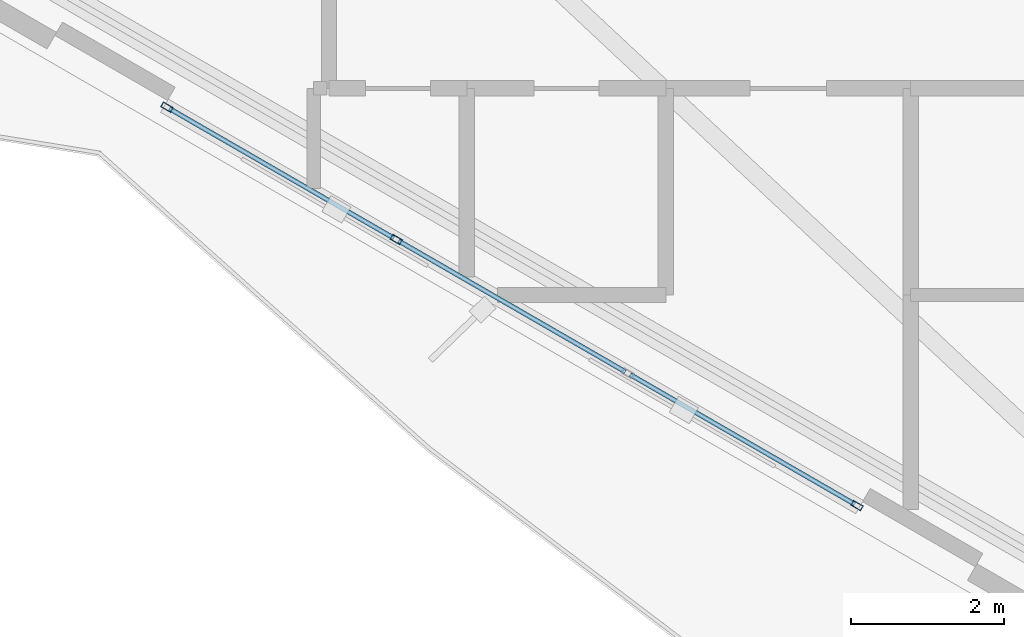
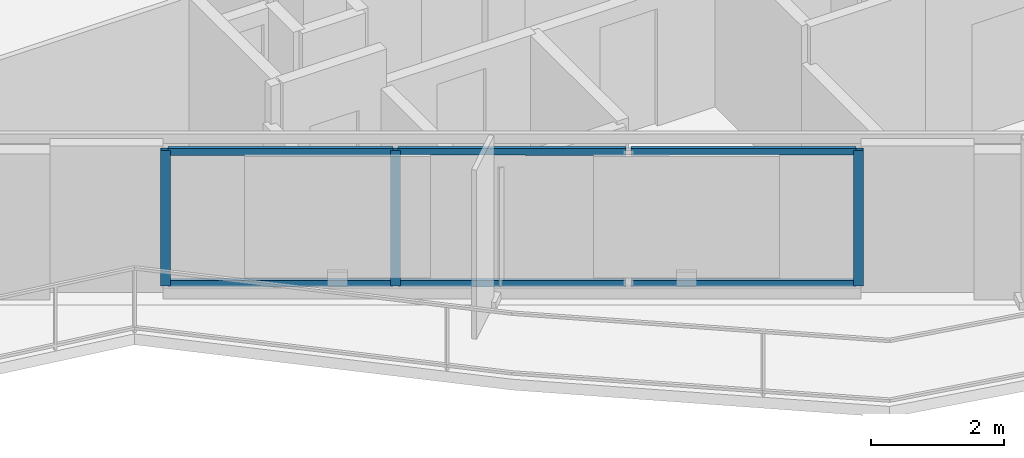
# One storey, part 2 of 18: 9 members, 1 element without a shape of its own.
"""IFC4 building model written with IfcOpenShell, lengths in metres."""

from ifc_helpers import new_model, si_unit, direction, frame, origin, origin_2d, place, context, subcontext, project, spatial, hollow_rectangle, extrude, material, layer, layer_set, material_profile, profile_set, type_object, element, aggregate, save


model = new_model("IFC4")

# Units and contexts
model_context = context("Model", 3, precision=1e-05, world=origin(), true_north=direction((0.0, 1.0)))
body_context = subcontext(model_context, "Body", "Model", "MODEL_VIEW")
ifc_project = project(units=[si_unit("LENGTHUNIT", "METRE"), si_unit("AREAUNIT", "SQUARE_METRE"), si_unit("VOLUMEUNIT", "CUBIC_METRE"), si_unit("PLANEANGLEUNIT", "RADIAN"), si_unit("MASSUNIT", "GRAM", prefix="KILO")], contexts=[model_context])

# Site, building, storey
site_placement = place(None, origin())
site = spatial("IfcSite", under=ifc_project, at=site_placement, CompositionType="ELEMENT")
building_placement = place(site_placement, origin())
building = spatial("IfcBuilding", under=site, at=building_placement, Name="Mersakhor Tower and Convention Hall", CompositionType="ELEMENT")
storey_placement = place(building_placement, frame((0.0, 0.0, 137.699951171875)))
storey = spatial("IfcBuildingStorey", under=building, at=storey_placement, Name="L38", CompositionType="ELEMENT", Elevation=137.699951171875)

# Curtain wall, members
ifc_material_1 = material(Name="Dark solar low-E aluminium curtain wall", Category="aluminium")
ifc_layer = layer(ifc_material_1, 0.169921875)
ifc_layer_set = layer_set([ifc_layer], Name="Dark solar low-E aluminium curtain wall")
curtain_wall_type = type_object("IfcCurtainWallType", Name="CW-SYS-02", PredefinedType="USERDEFINED", material=ifc_layer_set)
curtain_wall_placement = place(storey_placement, origin())
curtain_wall = element("IfcCurtainWall", 1, at=curtain_wall_placement, inside=storey, type_object=curtain_wall_type, Name="L38 Dark-Glass Curtain Wall F3-B2", ObjectType="CURTAIN WALL", PredefinedType="USERDEFINED")
ifc_material_2 = material(Name="Anodised aluminium EN AW-6063 T6", Category="aluminium")
ifc_material_profile_1 = material_profile(ifc_material_2, hollow_rectangle(XDim=0.074951171875, YDim=0.14990234375, WallThickness=0.00634765625, at=origin_2d()), Name="RHS 150x75x6.3")
ifc_profile_set_1 = profile_set([ifc_material_profile_1], Name="Anodised aluminium EN AW-6063 T6")
member_type_1 = type_object("IfcMemberType", Name="CWM-150x75", PredefinedType="MULLION", material=ifc_profile_set_1)
member_1_placement = place(storey_placement, frame((26.8984375, 12.69921875, 0.199951171875), z_axis=(0.0, 0.0, 1.0), x_axis=(-0.499990468363, -0.866030906807, 0.0)))
member_1 = element("IfcMember", 2, at=member_1_placement, type_object=member_type_1, Name="CW-02 mullion 1", PredefinedType="MULLION", context=body_context, shape_type="SweptSolid", body=[
    extrude(hollow_rectangle(XDim=0.074951171875, YDim=0.14990234375, WallThickness=0.00634765625, at=origin_2d()), origin(), (0.0, 0.0, 1.0), 2.47998046875),
])
member_2_placement = place(storey_placement, frame((20.876953125, 16.17578125, 0.199951171875), z_axis=(0.0, 0.0, 1.0), x_axis=(-0.499990468363, -0.866030906807, 0.0)))
member_2 = element("IfcMember", 3, at=member_2_placement, type_object=member_type_1, Name="CW-02 mullion 3", PredefinedType="MULLION", context=body_context, shape_type="SweptSolid", body=[
    extrude(hollow_rectangle(XDim=0.074951171875, YDim=0.14990234375, WallThickness=0.00634765625, at=origin_2d()), origin(), (0.0, 0.0, 1.0), 2.47998046875),
])
member_3_placement = place(storey_placement, frame((17.88232421875, 17.904541015625, 0.199951171875), z_axis=(0.0, 0.0, 1.0), x_axis=(-0.499990468363, -0.866030906807, 0.0)))
member_3 = element("IfcMember", 4, at=member_3_placement, type_object=member_type_1, Name="CW-02 mullion 4", PredefinedType="MULLION", context=body_context, shape_type="SweptSolid", body=[
    extrude(hollow_rectangle(XDim=0.074951171875, YDim=0.14990234375, WallThickness=0.00634765625, at=origin_2d()), origin(), (0.0, 0.0, 1.0), 2.47998046875),
])
ifc_material_3 = material(Name="Anodised aluminium EN AW-6063 T6", Category="aluminium")
ifc_material_profile_2 = material_profile(ifc_material_3, hollow_rectangle(XDim=0.06005859375, YDim=0.1201171875, WallThickness=0.0048828125, at=origin_2d()), Name="RHS 120x60x5")
ifc_profile_set_2 = profile_set([ifc_material_profile_2], Name="Anodised aluminium EN AW-6063 T6")
member_type_2 = type_object("IfcMemberType", Name="CWT-120x60", PredefinedType="USERDEFINED", material=ifc_profile_set_2)
member_4_placement = place(storey_placement, frame((26.865966796875, 12.718017578125, 0.22998046875), z_axis=(-0.866044963944, 0.49996611928, 0.0), x_axis=(-0.49996611928, -0.866044963944, 0.0)))
member_4 = element("IfcMember", 5, at=member_4_placement, type_object=member_type_2, Name="CW-02 transom 1.1", ObjectType="TRANSOM", PredefinedType="USERDEFINED", context=body_context, shape_type="SweptSolid", body=[
    extrude(hollow_rectangle(XDim=0.06005859375, YDim=0.1201171875, WallThickness=0.0048828125, at=origin_2d()), origin(), (0.0, 0.0, 1.0), 3.382568359375),
])
member_5_placement = place(storey_placement, frame((26.865966796875, 12.718017578125, 2.650146484375), z_axis=(-0.866044963944, 0.49996611928, 0.0), x_axis=(-0.49996611928, -0.866044963944, 0.0)))
member_5 = element("IfcMember", 6, at=member_5_placement, type_object=member_type_2, Name="CW-02 transom 1.2", ObjectType="TRANSOM", PredefinedType="USERDEFINED", context=body_context, shape_type="SweptSolid", body=[
    extrude(hollow_rectangle(XDim=0.06005859375, YDim=0.1201171875, WallThickness=0.0048828125, at=origin_2d()), origin(), (0.0, 0.0, 1.0), 3.382568359375),
])
member_6_placement = place(storey_placement, frame((23.871337890625, 14.44677734375, 0.22998046875), z_axis=(-0.866007273829, 0.50003140069, 0.0), x_axis=(-0.50003140069, -0.866007273829, 0.0)))
member_6 = element("IfcMember", 7, at=member_6_placement, type_object=member_type_2, Name="CW-02 transom 2.1", ObjectType="TRANSOM", PredefinedType="USERDEFINED", context=body_context, shape_type="SweptSolid", body=[
    extrude(hollow_rectangle(XDim=0.06005859375, YDim=0.1201171875, WallThickness=0.0048828125, at=origin_2d()), origin(), (0.0, 0.0, 1.0), 3.420166015625),
])
member_7_placement = place(storey_placement, frame((23.871337890625, 14.44677734375, 2.650146484375), z_axis=(-0.866007273829, 0.50003140069, 0.0), x_axis=(-0.50003140069, -0.866007273829, 0.0)))
member_7 = element("IfcMember", 8, at=member_7_placement, type_object=member_type_2, Name="CW-02 transom 2.2", ObjectType="TRANSOM", PredefinedType="USERDEFINED", context=body_context, shape_type="SweptSolid", body=[
    extrude(hollow_rectangle(XDim=0.06005859375, YDim=0.1201171875, WallThickness=0.0048828125, at=origin_2d()), origin(), (0.0, 0.0, 1.0), 3.420166015625),
])
member_8_placement = place(storey_placement, frame((20.844482421875, 16.1943359375, 0.22998046875), z_axis=(-0.866031754707, 0.499988999718, 0.0), x_axis=(-0.499988999718, -0.866031754707, 0.0)))
member_8 = element("IfcMember", 9, at=member_8_placement, type_object=member_type_2, Name="CW-02 transom 3.1", ObjectType="TRANSOM", PredefinedType="USERDEFINED", context=body_context, shape_type="SweptSolid", body=[
    extrude(hollow_rectangle(XDim=0.06005859375, YDim=0.1201171875, WallThickness=0.0048828125, at=origin_2d()), origin(), (0.0, 0.0, 1.0), 3.3828125),
])
member_9_placement = place(storey_placement, frame((20.844482421875, 16.1943359375, 2.650146484375), z_axis=(-0.866031754707, 0.499988999718, 0.0), x_axis=(-0.499988999718, -0.866031754707, 0.0)))
member_9 = element("IfcMember", 10, at=member_9_placement, type_object=member_type_2, Name="CW-02 transom 3.2", ObjectType="TRANSOM", PredefinedType="USERDEFINED", context=body_context, shape_type="SweptSolid", body=[
    extrude(hollow_rectangle(XDim=0.06005859375, YDim=0.1201171875, WallThickness=0.0048828125, at=origin_2d()), origin(), (0.0, 0.0, 1.0), 3.3828125),
])
aggregate(curtain_wall, [member_1, member_2, member_3, member_4, member_5, member_6, member_7, member_8, member_9])

save(model, "model.ifc")
